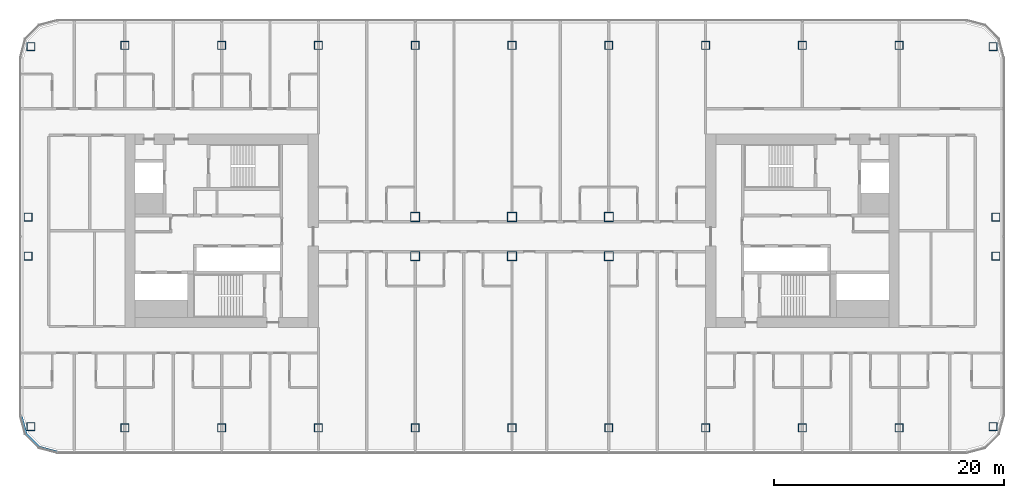
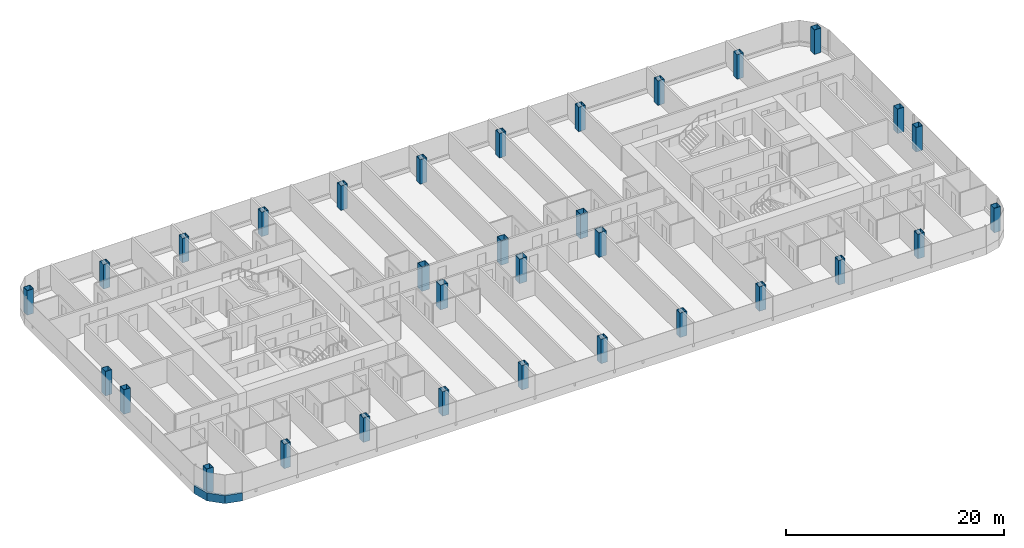
# One storey, part 1 of 27: 32 columns, 1 member, 1 element without a shape of its own.
"""IFC4 building model written with IfcOpenShell, lengths in metres."""

from ifc_helpers import new_model, si_unit, direction, frame, origin, origin_2d, place, context, subcontext, project, spatial, polyline, rectangle, hollow_rectangle, outline, extrude, material, layer, layer_set, material_profile, profile_set, type_object, element, aggregate, save


model = new_model("IFC4")

# Units and contexts
model_context = context("Model", 3, precision=1e-05, world=origin(), true_north=direction((0.0, 1.0)))
body_context = subcontext(model_context, "Body", "Model", "MODEL_VIEW")
ifc_project = project(units=[si_unit("LENGTHUNIT", "METRE"), si_unit("AREAUNIT", "SQUARE_METRE"), si_unit("VOLUMEUNIT", "CUBIC_METRE"), si_unit("PLANEANGLEUNIT", "RADIAN"), si_unit("MASSUNIT", "GRAM", prefix="KILO")], contexts=[model_context])

# Site, building, storey
site_placement = place(None, origin())
site = spatial("IfcSite", under=ifc_project, at=site_placement, CompositionType="ELEMENT")
building_placement = place(site_placement, origin())
building = spatial("IfcBuilding", under=site, at=building_placement, Name="Hakoniwa Tower and Hamabe Station Hall", CompositionType="ELEMENT")
storey_placement = place(building_placement, frame((0.0, 0.0, 166.199951171875)))
storey = spatial("IfcBuildingStorey", under=building, at=storey_placement, Name="L47", CompositionType="ELEMENT", Elevation=166.199951171875)

# Columns
ifc_material_1 = material(Name="Steel SN490C", Category="steel")
ifc_material_profile_1 = material_profile(ifc_material_1, hollow_rectangle(XDim=0.699951171875, YDim=0.699951171875, WallThickness=0.028076171875, at=origin_2d()), Name="BX-700x700x28")
ifc_profile_set_1 = profile_set([ifc_material_profile_1], Name="Steel SN490C")
column_type_1 = type_object("IfcColumnType", Name="COLUMN BX-700x700x28", PredefinedType="COLUMN", material=ifc_profile_set_1)
for number, where, z_axis, x_axis, name in (
    (1, (-41.74853515625, -16.99365234375, 0.0), (0.0, 0.0, 1.0), (1.0, 0.0, 0.0), "Column B3-2-A3"),
    (2, (-42.0, -2.199951171875, 0.0), (0.0, 0.0, 1.0), (1.0, 0.0, 0.0), "Column B3-2-C3"),
    (3, (-42.0, 1.199951171875, 0.0), (0.0, 0.0, 1.0), (1.0, 0.0, 0.0), "Column B3-2-D3"),
    (4, (-41.74853515625, 15.99365234375, 0.0), (0.0, 0.0, 1.0), (1.0, 0.0, 0.0), "Column B3-2-F3"),
    (5, (-33.60009765625, -17.10009765625, 0.0), (0.0, 0.0, 1.0), (1.0, 0.0, 0.0), "Column B3-3-A3"),
    (6, (-33.60009765625, 16.10009765625, 0.0), (0.0, 0.0, 1.0), (1.0, 0.0, 0.0), "Column B3-3-F3"),
    (7, (-25.199951171875, -17.10009765625, 0.0), (0.0, 0.0, 1.0), (1.0, 0.0, 0.0), "Column B3-4-A3"),
    (8, (-25.199951171875, 16.10009765625, 0.0), (0.0, 0.0, 1.0), (1.0, 0.0, 0.0), "Column B3-4-F3"),
    (9, (-16.800048828125, -17.10009765625, 0.0), (0.0, 0.0, 1.0), (1.0, 0.0, 0.0), "Column B3-5-A3"),
    (10, (-16.800048828125, 16.10009765625, 0.0), (0.0, 0.0, 1.0), (1.0, 0.0, 0.0), "Column B3-5-F3"),
    (11, (-8.39990234375, -17.10009765625, 0.0), (0.0, 0.0, 1.0), (1.0, 0.0, 0.0), "Column B3-6-A3"),
    (12, (-8.39990234375, 16.10009765625, 0.0), (0.0, 0.0, 1.0), (1.0, 0.0, 0.0), "Column B3-6-F3"),
    (13, (0.0, -17.10009765625, 0.0), (0.0, 0.0, 1.0), (1.0, 0.0, 0.0), "Column B3-7-A3"),
    (14, (0.0, 16.10009765625, 0.0), (0.0, 0.0, 1.0), (1.0, 0.0, 0.0), "Column B3-7-F3"),
    (15, (8.39990234375, -17.10009765625, 0.0), (0.0, 0.0, 1.0), (1.0, 0.0, 0.0), "Column B3-8-A3"),
    (16, (8.39990234375, 16.10009765625, 0.0), (0.0, 0.0, 1.0), (1.0, 0.0, 0.0), "Column B3-8-F3"),
    (17, (16.800048828125, -17.10009765625, 0.0), (0.0, 0.0, 1.0), (1.0, 0.0, 0.0), "Column B3-9-A3"),
    (18, (16.800048828125, 16.10009765625, 0.0), (0.0, 0.0, 1.0), (1.0, 0.0, 0.0), "Column B3-9-F3"),
    (19, (25.199951171875, -17.10009765625, 0.0), (0.0, 0.0, 1.0), (1.0, 0.0, 0.0), "Column B3-10-A3"),
    (20, (25.199951171875, 16.10009765625, 0.0), (0.0, 0.0, 1.0), (1.0, 0.0, 0.0), "Column B3-10-F3"),
    (21, (33.60009765625, -17.10009765625, 0.0), (0.0, 0.0, 1.0), (1.0, 0.0, 0.0), "Column B3-11-A3"),
    (22, (33.60009765625, 16.10009765625, 0.0), (0.0, 0.0, 1.0), (1.0, 0.0, 0.0), "Column B3-11-F3"),
    (23, (41.74853515625, -16.99365234375, 0.0), (0.0, 0.0, 1.0), (1.0, 0.0, 0.0), "Column B3-12-A3"),
    (24, (42.0, -2.199951171875, 0.0), (0.0, 0.0, 1.0), (1.0, 0.0, 0.0), "Column B3-12-C3"),
    (25, (42.0, 1.199951171875, 0.0), (0.0, 0.0, 1.0), (1.0, 0.0, 0.0), "Column B3-12-D3"),
    (26, (41.74853515625, 15.99365234375, 0.0), (0.0, 0.0, 1.0), (1.0, 0.0, 0.0), "Column B3-12-F3"),
):
    element("IfcColumn", number, at=place(storey_placement, frame(where, z_axis=z_axis, x_axis=x_axis)), inside=storey, type_object=column_type_1, Name=name, PredefinedType="COLUMN", context=body_context, shape_type="SweptSolid", body=[
        extrude(hollow_rectangle(XDim=0.699951171875, YDim=0.699951171875, WallThickness=0.028076171875, at=origin_2d()), origin(), (0.0, 0.0, 1.0), 2.75),
    ])
ifc_material_2 = material(Name="Steel SN490C", Category="steel")
ifc_material_profile_2 = material_profile(ifc_material_2, hollow_rectangle(XDim=0.800048828125, YDim=0.800048828125, WallThickness=0.031982421875, at=origin_2d()), Name="BX-800x800x32")
ifc_profile_set_2 = profile_set([ifc_material_profile_2], Name="Steel SN490C")
column_type_2 = type_object("IfcColumnType", Name="COLUMN BX-800x800x32", PredefinedType="COLUMN", material=ifc_profile_set_2)
for number, where, z_axis, x_axis, name in (
    (27, (-8.39990234375, -2.199951171875, 0.0), (0.0, 0.0, 1.0), (1.0, 0.0, 0.0), "Column B3-6-C3"),
    (28, (-8.39990234375, 1.199951171875, 0.0), (0.0, 0.0, 1.0), (1.0, 0.0, 0.0), "Column B3-6-D3"),
    (29, (0.0, -2.199951171875, 0.0), (0.0, 0.0, 1.0), (1.0, 0.0, 0.0), "Column B3-7-C3"),
    (30, (0.0, 1.199951171875, 0.0), (0.0, 0.0, 1.0), (1.0, 0.0, 0.0), "Column B3-7-D3"),
    (31, (8.39990234375, -2.199951171875, 0.0), (0.0, 0.0, 1.0), (1.0, 0.0, 0.0), "Column B3-8-C3"),
    (32, (8.39990234375, 1.199951171875, 0.0), (0.0, 0.0, 1.0), (1.0, 0.0, 0.0), "Column B3-8-D3"),
):
    element("IfcColumn", number, at=place(storey_placement, frame(where, z_axis=z_axis, x_axis=x_axis)), inside=storey, type_object=column_type_2, Name=name, PredefinedType="COLUMN", context=body_context, shape_type="SweptSolid", body=[
        extrude(hollow_rectangle(XDim=0.800048828125, YDim=0.800048828125, WallThickness=0.031982421875, at=origin_2d()), origin(), (0.0, 0.0, 1.0), 2.75),
    ])

# Curtain wall, member
ifc_material_3 = material(Name="Dark low-e laminated glass", Category="glass")
ifc_layer = layer(ifc_material_3, 0.199951171875)
ifc_layer_set = layer_set([ifc_layer], Name="CW-1 UNITISED GUEST")
curtain_wall_type = type_object("IfcCurtainWallType", Name="CW-1 UNITISED GUEST", PredefinedType="NOTDEFINED", material=ifc_layer_set)
curtain_wall_placement = place(storey_placement, origin())
curtain_wall = element("IfcCurtainWall", 33, at=curtain_wall_placement, inside=storey, type_object=curtain_wall_type, Name="CW-1 curtain wall", PredefinedType="NOTDEFINED")
ifc_material_4 = material(Name="Aluminium 6063-T5 black anodised", Category="aluminium")
ifc_material_profile_3 = material_profile(ifc_material_4, rectangle(XDim=0.199951171875, YDim=0.89990234375, at=origin_2d()), Name="CW SLAB-EDGE BAND 900X200")
ifc_profile_set_3 = profile_set([ifc_material_profile_3], Name="Aluminium 6063-T5 black anodised")
member_type = type_object("IfcMemberType", Name="CW SLAB-EDGE BAND 900X200", PredefinedType="USERDEFINED", material=ifc_profile_set_3)
member_placement = place(storey_placement, frame((0.0, 0.0, -0.550048828125)))
member = element("IfcMember", 34, at=member_placement, type_object=member_type, Name="CW-1 transom", ObjectType="TRANSOM", PredefinedType="USERDEFINED", context=body_context, shape_type="SweptSolid", body=[
    extrude(outline(polyline([(-42.699951171875, -16.03955078125), (-42.26708984375, -17.6552734375), (-41.05517578125, -18.866943359375), (-39.439453125, -19.300048828125), (-39.3876953125, -19.10693359375), (-40.95166015625, -18.687744140625), (-42.087646484375, -17.5517578125), (-42.5068359375, -15.98779296875), (-42.699951171875, -16.03955078125)])), origin(), (0.0, 0.0, 1.0), 0.900146484375),
])
aggregate(curtain_wall, [member])

save(model, "model.ifc")
